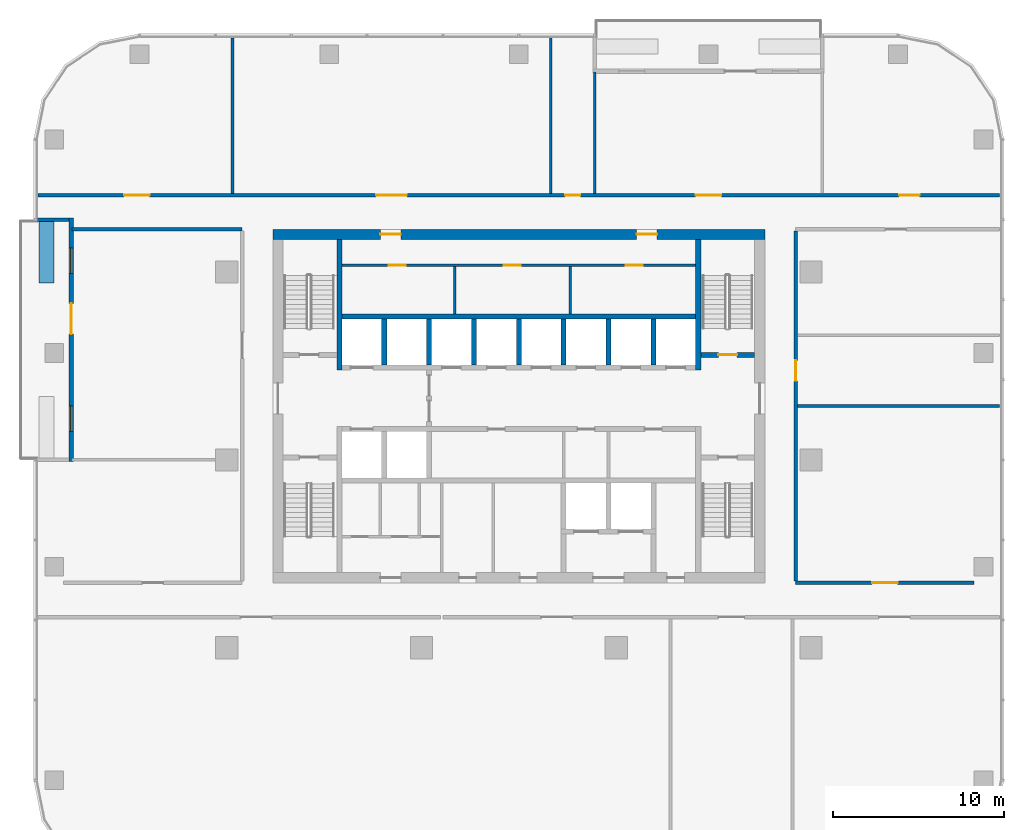
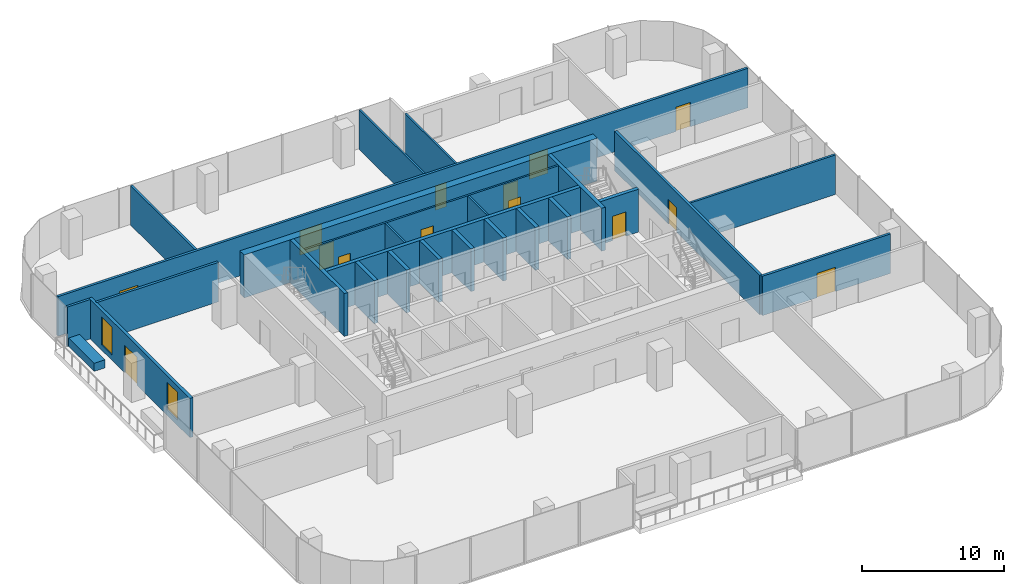
# One storey, part 9 of 14: 26 walls, 14 doors, 2 windows, 16 openings.
"""IFC4 building model written with IfcOpenShell, lengths in metres."""

from ifc_helpers import new_model, si_unit, direction, frame, frame_2d, origin, place, context, subcontext, project, spatial, rectangle, extrude, material, layer, layer_set, type_object, element, fill, save


model = new_model("IFC4")

# Units and contexts
model_context = context("Model", 3, precision=1e-05, world=origin(), true_north=direction((0.0, 1.0)))
body_context = subcontext(model_context, "Body", "Model", "MODEL_VIEW")
ifc_project = project(units=[si_unit("LENGTHUNIT", "METRE"), si_unit("AREAUNIT", "SQUARE_METRE"), si_unit("VOLUMEUNIT", "CUBIC_METRE"), si_unit("PLANEANGLEUNIT", "RADIAN"), si_unit("MASSUNIT", "GRAM", prefix="KILO")], contexts=[model_context])

# Site, building, storey
site_placement = place(None, origin())
site = spatial("IfcSite", under=ifc_project, at=site_placement, CompositionType="ELEMENT")
building_placement = place(site_placement, origin())
building = spatial("IfcBuilding", under=site, at=building_placement, Name="Mopane Tessera Tower", CompositionType="ELEMENT")
storey_placement = place(building_placement, frame((0.0, 0.0, 255.0)))
storey = spatial("IfcBuildingStorey", under=building, at=storey_placement, Name="L55", CompositionType="ELEMENT", Elevation=255.0)

# Walls
ifc_material_1 = material(Name="Fire-rated gypsum board partition")
ifc_layer_1 = layer(ifc_material_1, 0.14990234375)
ifc_layer_set_1 = layer_set([ifc_layer_1], Name="Fire-rated gypsum board partition")
wall_type_1 = type_object("IfcWallType", Name="Core room partition 150 mm", PredefinedType="PARTITIONING", material=ifc_layer_set_1)
for number, where, z_axis, x_axis, name in (
    (1, (-3.75, 8.550048828125, 0.0), (0.0, 0.0, 1.0), (0.0, 1.0, 0.0), "L55 Room partition"),
    (2, (3.0, 8.550048828125, 0.0), (0.0, 0.0, 1.0), (0.0, 1.0, 0.0), "L55 Room partition"),
):
    element("IfcWall", number, at=place(storey_placement, frame(where, z_axis=z_axis, x_axis=x_axis)), inside=storey, type_object=wall_type_1, Name=name, PredefinedType="PARTITIONING", context=body_context, shape_type="SweptSolid", body=[
        extrude(rectangle(XDim=2.77490234375, YDim=0.14990234375, at=frame_2d((1.387451171875, 0.0))), origin(), (0.0, 0.0, 1.0), 3.699951171875),
    ])

# Wall, openings, doors
wall_1_placement = place(storey_placement, frame((-10.35009765625, 11.39990234375, 0.0), z_axis=(0.0, 0.0, 1.0), x_axis=(1.0, 0.0, 0.0)))
wall_1 = element("IfcWall", 3, at=wall_1_placement, inside=storey, type_object=wall_type_1, Name="L55 Corridor wall", PredefinedType="PARTITIONING", context=body_context, shape_type="SweptSolid", body=[
    extrude(rectangle(XDim=20.7001953125, YDim=0.14990234375, at=frame_2d((10.35009765625, 0.0))), origin(), (0.0, 0.0, 1.0), 3.699951171875),
])
opening_1_placement = place(wall_1_placement, frame((2.72509765625, 0.0, 0.0)))
opening_1 = element("IfcOpeningElement", 4, at=opening_1_placement, cuts=wall_1, Name="Opening RD1", PredefinedType="OPENING", context=body_context, shape_type="SweptSolid", body=[
    extrude(rectangle(XDim=1.0, YDim=2.10009765625, at=frame_2d((0.5, 1.050048828125))), frame((0.0, 0.0869140625, 0.0), z_axis=(0.0, -1.0, 0.0), x_axis=(1.0, 0.0, 0.0)), (0.0, 0.0, 1.0), 0.173828125),
])
opening_2_placement = place(wall_1_placement, frame((9.47509765625, 0.0, 0.0)))
opening_2 = element("IfcOpeningElement", 5, at=opening_2_placement, cuts=wall_1, Name="Opening RD1", PredefinedType="OPENING", context=body_context, shape_type="SweptSolid", body=[
    extrude(rectangle(XDim=1.0, YDim=2.10009765625, at=frame_2d((0.5, 1.050048828125))), frame((0.0, 0.0869140625, 0.0), z_axis=(0.0, -1.0, 0.0), x_axis=(1.0, 0.0, 0.0)), (0.0, 0.0, 1.0), 0.173828125),
])
opening_3_placement = place(wall_1_placement, frame((16.60009765625, 0.0, 0.0)))
opening_3 = element("IfcOpeningElement", 6, at=opening_3_placement, cuts=wall_1, Name="Opening RD1", PredefinedType="OPENING", context=body_context, shape_type="SweptSolid", body=[
    extrude(rectangle(XDim=1.0, YDim=2.10009765625, at=frame_2d((0.5, 1.050048828125))), frame((0.0, 0.0869140625, 0.0), z_axis=(0.0, -1.0, 0.0), x_axis=(1.0, 0.0, 0.0)), (0.0, 0.0, 1.0), 0.173828125),
])
ifc_material_2 = material(Name="Timber door", Category="wood")
door_type_1 = type_object("IfcDoorType", Name="Core room door 1000 x 2100", OperationType="SINGLE_SWING_LEFT", PredefinedType="DOOR", material=ifc_material_2)
door_1_placement = place(opening_1_placement, origin())
door_1 = element("IfcDoor", 7, at=door_1_placement, inside=storey, type_object=door_type_1, Name="L55 Room door", OperationType="SINGLE_SWING_LEFT", OverallHeight=2.10009765625, OverallWidth=1.0, PredefinedType="DOOR", context=body_context, shape_type="SweptSolid", body=[
    extrude(rectangle(XDim=1.0, YDim=2.10009765625, at=frame_2d((0.5, 1.050048828125))), frame((0.0, 0.02490234375, 0.0), z_axis=(0.0, -1.0, 0.0), x_axis=(1.0, 0.0, 0.0)), (0.0, 0.0, 1.0), 0.050048828125),
])
fill(opening_1, door_1)
door_2_placement = place(opening_2_placement, origin())
door_2 = element("IfcDoor", 8, at=door_2_placement, inside=storey, type_object=door_type_1, Name="L55 Room door", OperationType="SINGLE_SWING_LEFT", OverallHeight=2.10009765625, OverallWidth=1.0, PredefinedType="DOOR", context=body_context, shape_type="SweptSolid", body=[
    extrude(rectangle(XDim=1.0, YDim=2.10009765625, at=frame_2d((0.5, 1.050048828125))), frame((0.0, 0.02490234375, 0.0), z_axis=(0.0, -1.0, 0.0), x_axis=(1.0, 0.0, 0.0)), (0.0, 0.0, 1.0), 0.050048828125),
])
fill(opening_2, door_2)
door_3_placement = place(opening_3_placement, origin())
door_3 = element("IfcDoor", 9, at=door_3_placement, inside=storey, type_object=door_type_1, Name="L55 Room door", OperationType="SINGLE_SWING_LEFT", OverallHeight=2.10009765625, OverallWidth=1.0, PredefinedType="DOOR", context=body_context, shape_type="SweptSolid", body=[
    extrude(rectangle(XDim=1.0, YDim=2.10009765625, at=frame_2d((0.5, 1.050048828125))), frame((0.0, 0.02490234375, 0.0), z_axis=(0.0, -1.0, 0.0), x_axis=(1.0, 0.0, 0.0)), (0.0, 0.0, 1.0), 0.050048828125),
])
fill(opening_3, door_3)

ifc_material_3 = material(Name="Concrete C70/85", Category="concrete")
ifc_layer_2 = layer(ifc_material_3, 0.60009765625)
ifc_layer_set_2 = layer_set([ifc_layer_2], Name="Concrete C70/85")
wall_type_2 = type_object("IfcWallType", Name="Core shear wall 600 mm", PredefinedType="SHEAR", material=ifc_layer_set_2)
wall_2_placement = place(storey_placement, frame((-14.39990234375, 13.199951171875, 0.0), z_axis=(0.0, 0.0, 1.0), x_axis=(1.0, 0.0, 0.0)))
wall_2 = element("IfcWall", 10, at=wall_2_placement, inside=storey, type_object=wall_type_2, Name="L55 Core wall north", PredefinedType="SHEAR", context=body_context, shape_type="SweptSolid", body=[
    extrude(rectangle(XDim=28.7998046875, YDim=0.60009765625, at=frame_2d((14.39990234375, 0.0))), origin(), (0.0, 0.0, 1.0), 3.699951171875),
])
opening_4_placement = place(wall_2_placement, frame((6.300048828125, 0.0, 0.0)))
opening_4 = element("IfcOpeningElement", 11, at=opening_4_placement, cuts=wall_2, Name="Opening RD2", PredefinedType="OPENING", context=body_context, shape_type="SweptSolid", body=[
    extrude(rectangle(XDim=1.199951171875, YDim=2.10009765625, at=frame_2d((0.60009765625, 1.050048828125))), frame((0.0, 0.31201171875, 0.0), z_axis=(0.0, -1.0, 0.0), x_axis=(1.0, 0.0, 0.0)), (0.0, 0.0, 1.0), 0.6240234375),
])
opening_5_placement = place(wall_2_placement, frame((21.300048828125, 0.0, 0.0)))
opening_5 = element("IfcOpeningElement", 12, at=opening_5_placement, cuts=wall_2, Name="Opening RD2", PredefinedType="OPENING", context=body_context, shape_type="SweptSolid", body=[
    extrude(rectangle(XDim=1.199951171875, YDim=2.10009765625, at=frame_2d((0.60009765625, 1.050048828125))), frame((0.0, 0.31201171875, 0.0), z_axis=(0.0, -1.0, 0.0), x_axis=(1.0, 0.0, 0.0)), (0.0, 0.0, 1.0), 0.6240234375),
])
ifc_material_4 = material(Name="Timber door", Category="wood")
door_type_2 = type_object("IfcDoorType", Name="Core corridor door 1200 x 2100", OperationType="SINGLE_SWING_LEFT", PredefinedType="DOOR", material=ifc_material_4)
door_4_placement = place(opening_4_placement, origin())
door_4 = element("IfcDoor", 13, at=door_4_placement, inside=storey, type_object=door_type_2, Name="L55 Corridor door", OperationType="SINGLE_SWING_LEFT", OverallHeight=2.10009765625, OverallWidth=1.199951171875, PredefinedType="DOOR", context=body_context, shape_type="SweptSolid", body=[
    extrude(rectangle(XDim=1.199951171875, YDim=2.10009765625, at=frame_2d((0.60009765625, 1.050048828125))), frame((0.0, 0.02490234375, 0.0), z_axis=(0.0, -1.0, 0.0), x_axis=(1.0, 0.0, 0.0)), (0.0, 0.0, 1.0), 0.050048828125),
])
fill(opening_4, door_4)
door_5_placement = place(opening_5_placement, origin())
door_5 = element("IfcDoor", 14, at=door_5_placement, inside=storey, type_object=door_type_2, Name="L55 Corridor door", OperationType="SINGLE_SWING_RIGHT", OverallHeight=2.10009765625, OverallWidth=1.199951171875, PredefinedType="DOOR", context=body_context, shape_type="SweptSolid", body=[
    extrude(rectangle(XDim=1.199951171875, YDim=2.10009765625, at=frame_2d((0.60009765625, 1.050048828125))), frame((0.0, 0.02490234375, 0.0), z_axis=(0.0, -1.0, 0.0), x_axis=(1.0, 0.0, 0.0)), (0.0, 0.0, 1.0), 0.050048828125),
])
fill(opening_5, door_5)

# Walls
ifc_material_5 = material(Name="Concrete C60/75", Category="concrete")
ifc_layer_3 = layer(ifc_material_5, 0.300048828125)
ifc_layer_set_3 = layer_set([ifc_layer_3], Name="Concrete C60/75")
wall_type_3 = type_object("IfcWallType", Name="Core spine wall 300 mm", PredefinedType="SHEAR", material=ifc_layer_set_3)
for number, where, z_axis, x_axis, name in (
    (15, (-10.5, 5.25, 0.0), (0.0, 0.0, 1.0), (0.0, 1.0, 0.0), "L55 Core spine wall"),
    (16, (10.5, 5.25, 0.0), (0.0, 0.0, 1.0), (0.0, 1.0, 0.0), "L55 Core spine wall"),
):
    element("IfcWall", number, at=place(storey_placement, frame(where, z_axis=z_axis, x_axis=x_axis)), inside=storey, type_object=wall_type_3, Name=name, PredefinedType="SHEAR", context=body_context, shape_type="SweptSolid", body=[
        extrude(rectangle(XDim=7.64990234375, YDim=0.300048828125, at=frame_2d((3.824951171875, 0.0))), origin(), (0.0, 0.0, 1.0), 3.699951171875),
    ])
ifc_material_6 = material(Name="Gypsum board on staggered steel studs, double layer each face, acoustic mineral wool infill", Category="steel")
ifc_layer_4 = layer(ifc_material_6, 0.175048828125)
ifc_layer_set_4 = layer_set([ifc_layer_4], Name="Gypsum board on staggered steel studs, double layer each face, acoustic mineral wool infill")
wall_type_4 = type_object("IfcWallType", Name="Gypsum board acoustic partition 175, rated EI 60", PredefinedType="PARTITIONING", material=ifc_layer_set_4)
wall_3_placement = place(storey_placement, frame((16.300048828125, 3.14990234375, 0.0), z_axis=(0.0, 0.0, 1.0), x_axis=(1.0, 0.0, 0.0)))
element("IfcWall", 17, at=wall_3_placement, inside=storey, type_object=wall_type_4, Name="Partition L55:005", PredefinedType="PARTITIONING", context=body_context, shape_type="SweptSolid", body=[
    extrude(rectangle(XDim=11.849853515625, YDim=0.175048828125, at=frame_2d((5.9248046875, 0.0))), origin(), (0.0, 0.0, 1.0), 3.39990234375),
])
wall_4_placement = place(storey_placement, frame((-16.77001953125, 15.60009765625, 0.0), z_axis=(0.0, 0.0, 1.0), x_axis=(0.0, 1.0, 0.0)))
element("IfcWall", 18, at=wall_4_placement, inside=storey, type_object=wall_type_4, Name="Partition L55:010", PredefinedType="PARTITIONING", context=body_context, shape_type="SweptSolid", body=[
    extrude(rectangle(XDim=9.099853515625, YDim=0.175048828125, at=frame_2d((4.5498046875, 0.0))), origin(), (0.0, 0.0, 1.0), 3.39990234375),
])

# Wall, opening, door
ifc_material_7 = material(Name="Gypsum board on steel studs, two layers each face, mineral wool infill", Category="steel")
ifc_layer_5 = layer(ifc_material_7, 0.199951171875)
ifc_layer_set_5 = layer_set([ifc_layer_5], Name="Gypsum board on steel studs, two layers each face, mineral wool infill")
wall_type_5 = type_object("IfcWallType", Name="Gypsum board corridor wall 200, rated EI 60", PredefinedType="PARTITIONING", material=ifc_layer_set_5)
wall_5_placement = place(storey_placement, frame((16.199951171875, -7.199951171875, 0.0), z_axis=(0.0, 0.0, 1.0), x_axis=(1.0, 0.0, 0.0)))
wall_5 = element("IfcWall", 19, at=wall_5_placement, inside=storey, type_object=wall_type_5, Name="Partition L55:003", PredefinedType="PARTITIONING", context=body_context, shape_type="SweptSolid", body=[
    extrude(rectangle(XDim=10.449951171875, YDim=0.199951171875, at=frame_2d((5.22509765625, 0.0))), origin(), (0.0, 0.0, 1.0), 3.39990234375),
])
opening_6_placement = place(wall_5_placement, frame((4.47509765625, 0.0, 0.0)))
opening_6 = element("IfcOpeningElement", 20, at=opening_6_placement, cuts=wall_5, Name="Opening L55-14", PredefinedType="OPENING", context=body_context, shape_type="SweptSolid", body=[
    extrude(rectangle(XDim=1.5, YDim=2.10009765625, at=frame_2d((0.75, 1.050048828125))), frame((0.0, 0.112060546875, 0.0), z_axis=(0.0, -1.0, 0.0), x_axis=(1.0, 0.0, 0.0)), (0.0, 0.0, 1.0), 0.223876953125),
])
ifc_material_8 = material(Name="Timber veneered steel-framed fire door", Category="steel")
door_type_3 = type_object("IfcDoorType", Name="Fire door pair FD60 1500 x 2100", OperationType="DOUBLE_DOOR_SINGLE_SWING", PredefinedType="DOOR", material=ifc_material_8)
door_6_placement = place(opening_6_placement, origin())
door_6 = element("IfcDoor", 21, at=door_6_placement, inside=storey, type_object=door_type_3, Name="Door L55-14", ObjectType="D17A", OperationType="DOUBLE_DOOR_SINGLE_SWING", OverallHeight=2.10009765625, OverallWidth=1.5, PredefinedType="DOOR", context=body_context, shape_type="SweptSolid", body=[
    extrude(rectangle(XDim=1.5, YDim=2.10009765625, at=frame_2d((0.75, 1.050048828125))), frame((0.0, 0.02490234375, 0.0), z_axis=(0.0, -1.0, 0.0), x_axis=(1.0, 0.0, 0.0)), (0.0, 0.0, 1.0), 0.050048828125),
])
fill(opening_6, door_6)

# Wall
wall_6_placement = place(storey_placement, frame((-26.14990234375, 13.5, 0.0), z_axis=(0.0, 0.0, 1.0), x_axis=(1.0, 0.0, 0.0)))
element("IfcWall", 22, at=wall_6_placement, inside=storey, type_object=wall_type_5, Name="Partition L55:007", PredefinedType="PARTITIONING", context=body_context, shape_type="SweptSolid", body=[
    extrude(rectangle(XDim=9.949951171875, YDim=0.199951171875, at=frame_2d((4.97509765625, 0.0))), origin(), (0.0, 0.0, 1.0), 3.39990234375),
])

# Wall, openings, doors
wall_7_placement = place(storey_placement, frame((-28.14990234375, 15.5, 0.0), z_axis=(0.0, 0.0, 1.0), x_axis=(1.0, 0.0, 0.0)))
wall_7 = element("IfcWall", 23, at=wall_7_placement, inside=storey, type_object=wall_type_5, Name="Partition L55:009", PredefinedType="PARTITIONING", context=body_context, shape_type="SweptSolid", body=[
    extrude(rectangle(XDim=56.2998046875, YDim=0.199951171875, at=frame_2d((28.14990234375, 0.0))), origin(), (0.0, 0.0, 1.0), 3.39990234375),
])
opening_7_placement = place(wall_7_placement, frame((50.405029296875, 0.0, 0.0)))
opening_7 = element("IfcOpeningElement", 24, at=opening_7_placement, cuts=wall_7, Name="Opening L55-01", PredefinedType="OPENING", context=body_context, shape_type="SweptSolid", body=[
    extrude(rectangle(XDim=1.199951171875, YDim=2.10009765625, at=frame_2d((0.60009765625, 1.050048828125))), frame((0.0, 0.112060546875, 0.0), z_axis=(0.0, -1.0, 0.0), x_axis=(1.0, 0.0, 0.0)), (0.0, 0.0, 1.0), 0.223876953125),
])
opening_8_placement = place(wall_7_placement, frame((38.5, 0.0, 0.0)))
opening_8 = element("IfcOpeningElement", 25, at=opening_8_placement, cuts=wall_7, Name="Opening L55-05", PredefinedType="OPENING", context=body_context, shape_type="SweptSolid", body=[
    extrude(rectangle(XDim=1.5, YDim=2.10009765625, at=frame_2d((0.75, 1.050048828125))), frame((0.0, 0.112060546875, 0.0), z_axis=(0.0, -1.0, 0.0), x_axis=(1.0, 0.0, 0.0)), (0.0, 0.0, 1.0), 0.223876953125),
])
opening_9_placement = place(wall_7_placement, frame((30.8525390625, 0.0, 0.0)))
opening_9 = element("IfcOpeningElement", 26, at=opening_9_placement, cuts=wall_7, Name="Opening L55-06", PredefinedType="OPENING", context=body_context, shape_type="SweptSolid", body=[
    extrude(rectangle(XDim=0.89990234375, YDim=2.10009765625, at=frame_2d((0.449951171875, 1.050048828125))), frame((0.0, 0.112060546875, 0.0), z_axis=(0.0, -1.0, 0.0), x_axis=(1.0, 0.0, 0.0)), (0.0, 0.0, 1.0), 0.223876953125),
])
opening_10_placement = place(wall_7_placement, frame((19.797607421875, 0.0, 0.0)))
opening_10 = element("IfcOpeningElement", 27, at=opening_10_placement, cuts=wall_7, Name="Opening L55-10", PredefinedType="OPENING", context=body_context, shape_type="SweptSolid", body=[
    extrude(rectangle(XDim=1.800048828125, YDim=2.10009765625, at=frame_2d((0.89990234375, 1.050048828125))), frame((0.0, 0.112060546875, 0.0), z_axis=(0.0, -1.0, 0.0), x_axis=(1.0, 0.0, 0.0)), (0.0, 0.0, 1.0), 0.223876953125),
])
opening_11_placement = place(wall_7_placement, frame((5.0400390625, 0.0, 0.0)))
opening_11 = element("IfcOpeningElement", 28, at=opening_11_placement, cuts=wall_7, Name="Opening L55-12", PredefinedType="OPENING", context=body_context, shape_type="SweptSolid", body=[
    extrude(rectangle(XDim=1.5, YDim=2.10009765625, at=frame_2d((0.75, 1.050048828125))), frame((0.0, 0.112060546875, 0.0), z_axis=(0.0, -1.0, 0.0), x_axis=(1.0, 0.0, 0.0)), (0.0, 0.0, 1.0), 0.223876953125),
])
ifc_material_9 = material(Name="Timber veneered steel-framed fire door", Category="steel")
door_type_4 = type_object("IfcDoorType", Name="Fire door FD60 1200 x 2100", OperationType="SINGLE_SWING_LEFT", PredefinedType="DOOR", material=ifc_material_9)
door_7_placement = place(opening_7_placement, origin())
door_7 = element("IfcDoor", 29, at=door_7_placement, inside=storey, type_object=door_type_4, Name="Door L55-01", ObjectType="D15A", OperationType="SINGLE_SWING_RIGHT", OverallHeight=2.10009765625, OverallWidth=1.199951171875, PredefinedType="DOOR", context=body_context, shape_type="SweptSolid", body=[
    extrude(rectangle(XDim=1.199951171875, YDim=2.10009765625, at=frame_2d((0.60009765625, 1.050048828125))), frame((0.0, 0.02490234375, 0.0), z_axis=(0.0, -1.0, 0.0), x_axis=(1.0, 0.0, 0.0)), (0.0, 0.0, 1.0), 0.050048828125),
])
fill(opening_7, door_7)
ifc_material_10 = material(Name="Timber veneered steel-framed fire door", Category="steel")
door_type_5 = type_object("IfcDoorType", Name="Fire door FD60 900 x 2100", OperationType="SINGLE_SWING_LEFT", PredefinedType="DOOR", material=ifc_material_10)
door_8_placement = place(opening_9_placement, origin())
door_8 = element("IfcDoor", 30, at=door_8_placement, inside=storey, type_object=door_type_5, Name="Door L55-06", ObjectType="D10A", OperationType="SINGLE_SWING_LEFT", OverallHeight=2.10009765625, OverallWidth=0.89990234375, PredefinedType="DOOR", context=body_context, shape_type="SweptSolid", body=[
    extrude(rectangle(XDim=0.89990234375, YDim=2.10009765625, at=frame_2d((0.449951171875, 1.050048828125))), frame((0.0, 0.02490234375, 0.0), z_axis=(0.0, -1.0, 0.0), x_axis=(1.0, 0.0, 0.0)), (0.0, 0.0, 1.0), 0.050048828125),
])
fill(opening_9, door_8)
door_9_placement = place(opening_8_placement, origin())
door_9 = element("IfcDoor", 31, at=door_9_placement, inside=storey, type_object=door_type_3, Name="Door L55-05", ObjectType="D17A", OperationType="DOUBLE_DOOR_SINGLE_SWING", OverallHeight=2.10009765625, OverallWidth=1.5, PredefinedType="DOOR", context=body_context, shape_type="SweptSolid", body=[
    extrude(rectangle(XDim=1.5, YDim=2.10009765625, at=frame_2d((0.75, 1.050048828125))), frame((0.0, 0.02490234375, 0.0), z_axis=(0.0, -1.0, 0.0), x_axis=(1.0, 0.0, 0.0)), (0.0, 0.0, 1.0), 0.050048828125),
])
fill(opening_8, door_9)
door_10_placement = place(opening_11_placement, origin())
door_10 = element("IfcDoor", 32, at=door_10_placement, inside=storey, type_object=door_type_3, Name="Door L55-12", ObjectType="D17A", OperationType="DOUBLE_DOOR_SINGLE_SWING", OverallHeight=2.10009765625, OverallWidth=1.5, PredefinedType="DOOR", context=body_context, shape_type="SweptSolid", body=[
    extrude(rectangle(XDim=1.5, YDim=2.10009765625, at=frame_2d((0.75, 1.050048828125))), frame((0.0, 0.02490234375, 0.0), z_axis=(0.0, -1.0, 0.0), x_axis=(1.0, 0.0, 0.0)), (0.0, 0.0, 1.0), 0.050048828125),
])
fill(opening_11, door_10)
ifc_material_11 = material(Name="Timber veneered steel-framed fire door", Category="steel")
door_type_6 = type_object("IfcDoorType", Name="Fire door pair FD60 1800 x 2100", OperationType="DOUBLE_DOOR_SINGLE_SWING", PredefinedType="DOOR", material=ifc_material_11)
door_11_placement = place(opening_10_placement, origin())
door_11 = element("IfcDoor", 33, at=door_11_placement, inside=storey, type_object=door_type_6, Name="Door L55-10", ObjectType="D20A", OperationType="DOUBLE_DOOR_SINGLE_SWING", OverallHeight=2.10009765625, OverallWidth=1.800048828125, PredefinedType="DOOR", context=body_context, shape_type="SweptSolid", body=[
    extrude(rectangle(XDim=1.800048828125, YDim=2.10009765625, at=frame_2d((0.89990234375, 1.050048828125))), frame((0.0, 0.02490234375, 0.0), z_axis=(0.0, -1.0, 0.0), x_axis=(1.0, 0.0, 0.0)), (0.0, 0.0, 1.0), 0.050048828125),
])
fill(opening_10, door_11)

# Wall, opening, door
wall_8_placement = place(storey_placement, frame((16.199951171875, -7.10009765625, 0.0), z_axis=(0.0, 0.0, 1.0), x_axis=(0.0, 1.0, 0.0)))
wall_8 = element("IfcWall", 34, at=wall_8_placement, inside=storey, type_object=wall_type_5, Name="Partition L55:016", PredefinedType="PARTITIONING", context=body_context, shape_type="SweptSolid", body=[
    extrude(rectangle(XDim=20.5, YDim=0.199951171875, at=frame_2d((10.25, 0.0))), origin(), (0.0, 0.0, 1.0), 3.39990234375),
])
opening_12_placement = place(wall_8_placement, frame((11.719970703125, 0.0, 0.0)))
opening_12 = element("IfcOpeningElement", 35, at=opening_12_placement, cuts=wall_8, Name="Opening L55-11", PredefinedType="OPENING", context=body_context, shape_type="SweptSolid", body=[
    extrude(rectangle(XDim=1.199951171875, YDim=2.10009765625, at=frame_2d((0.60009765625, 1.050048828125))), frame((0.0, 0.112060546875, 0.0), z_axis=(0.0, -1.0, 0.0), x_axis=(1.0, 0.0, 0.0)), (0.0, 0.0, 1.0), 0.223876953125),
])
door_12_placement = place(opening_12_placement, origin())
door_12 = element("IfcDoor", 36, at=door_12_placement, inside=storey, type_object=door_type_4, Name="Door L55-11", ObjectType="D15A", OperationType="SINGLE_SWING_LEFT", OverallHeight=2.10009765625, OverallWidth=1.199951171875, PredefinedType="DOOR", context=body_context, shape_type="SweptSolid", body=[
    extrude(rectangle(XDim=1.199951171875, YDim=2.10009765625, at=frame_2d((0.60009765625, 1.050048828125))), frame((0.0, 0.02490234375, 0.0), z_axis=(0.0, -1.0, 0.0), x_axis=(1.0, 0.0, 0.0)), (0.0, 0.0, 1.0), 0.050048828125),
])
fill(opening_12, door_12)

# Walls
ifc_material_12 = material(Name="Gypsum board on steel studs, mineral wool infill", Category="steel")
ifc_layer_6 = layer(ifc_material_12, 0.14990234375)
ifc_layer_set_6 = layer_set([ifc_layer_6], Name="Gypsum board on steel studs, mineral wool infill")
wall_type_6 = type_object("IfcWallType", Name="Gypsum board partition 150, rated EI 60", PredefinedType="PARTITIONING", material=ifc_layer_set_6)
wall_9_placement = place(storey_placement, frame((1.864990234375, 15.60009765625, 0.0), z_axis=(0.0, 0.0, 1.0), x_axis=(0.0, 1.0, 0.0)))
element("IfcWall", 37, at=wall_9_placement, inside=storey, type_object=wall_type_6, Name="Partition L55:012", PredefinedType="PARTITIONING", context=body_context, shape_type="SweptSolid", body=[
    extrude(rectangle(XDim=9.099853515625, YDim=0.14990234375, at=frame_2d((4.5498046875, 0.0))), origin(), (0.0, 0.0, 1.0), 3.39990234375),
])
wall_10_placement = place(storey_placement, frame((4.43994140625, 15.60009765625, 0.0), z_axis=(0.0, 0.0, 1.0), x_axis=(0.0, 1.0, 0.0)))
element("IfcWall", 38, at=wall_10_placement, inside=storey, type_object=wall_type_6, Name="Partition L55:013", PredefinedType="PARTITIONING", context=body_context, shape_type="SweptSolid", body=[
    extrude(rectangle(XDim=7.099853515625, YDim=0.14990234375, at=frame_2d((3.5498046875, 0.0))), origin(), (0.0, 0.0, 1.0), 3.39990234375),
])

# Wall, opening, door
ifc_material_13 = material(Name="Concrete C50/60", Category="concrete")
ifc_layer_7 = layer(ifc_material_13, 0.300048828125)
ifc_layer_set_7 = layer_set([ifc_layer_7], Name="Concrete C50/60")
wall_type_7 = type_object("IfcWallType", Name="Lift and stair shaft wall 300 mm", PredefinedType="SOLIDWALL", material=ifc_layer_set_7)
wall_11_placement = place(storey_placement, frame((10.64990234375, 6.14990234375, 0.0), z_axis=(0.0, 0.0, 1.0), x_axis=(1.0, 0.0, 0.0)))
wall_11 = element("IfcWall", 39, at=wall_11_placement, inside=storey, type_object=wall_type_7, Name="L55 Stair enclosure wall", PredefinedType="SOLIDWALL", context=body_context, shape_type="SweptSolid", body=[
    extrude(rectangle(XDim=3.150146484375, YDim=0.300048828125, at=frame_2d((1.5751953125, 0.0))), origin(), (0.0, 0.0, 1.0), 3.699951171875),
])
opening_13_placement = place(wall_11_placement, frame((1.02490234375, 0.0, 0.0)))
opening_13 = element("IfcOpeningElement", 40, at=opening_13_placement, cuts=wall_11, Name="Opening SD1", PredefinedType="OPENING", context=body_context, shape_type="SweptSolid", body=[
    extrude(rectangle(XDim=1.10009765625, YDim=2.10009765625, at=frame_2d((0.550048828125, 1.050048828125))), frame((0.0, 0.162109375, 0.0), z_axis=(0.0, -1.0, 0.0), x_axis=(1.0, 0.0, 0.0)), (0.0, 0.0, 1.0), 0.323974609375),
])
ifc_material_14 = material(Name="Steel fire door", Category="steel")
door_type_7 = type_object("IfcDoorType", Name="Stair fire door 1100 x 2100", OperationType="SINGLE_SWING_LEFT", PredefinedType="DOOR", material=ifc_material_14)
door_13_placement = place(opening_13_placement, origin())
door_13 = element("IfcDoor", 41, at=door_13_placement, inside=storey, type_object=door_type_7, Name="L55 Stair door ST4", OperationType="SINGLE_SWING_RIGHT", OverallHeight=2.10009765625, OverallWidth=1.10009765625, PredefinedType="DOOR", context=body_context, shape_type="SweptSolid", body=[
    extrude(rectangle(XDim=1.10009765625, YDim=2.10009765625, at=frame_2d((0.550048828125, 1.050048828125))), frame((0.0, 0.02490234375, 0.0), z_axis=(0.0, -1.0, 0.0), x_axis=(1.0, 0.0, 0.0)), (0.0, 0.0, 1.0), 0.050048828125),
])
fill(opening_13, door_13)

# Walls
wall_12_placement = place(storey_placement, frame((-10.35009765625, 8.39990234375, 0.0), z_axis=(0.0, 0.0, 1.0), x_axis=(1.0, 0.0, 0.0)))
element("IfcWall", 42, at=wall_12_placement, inside=storey, type_object=wall_type_7, Name="L55 Lift shaft rear wall", PredefinedType="SOLIDWALL", context=body_context, shape_type="SweptSolid", body=[
    extrude(rectangle(XDim=20.7001953125, YDim=0.300048828125, at=frame_2d((10.35009765625, 0.0))), origin(), (0.0, 0.0, 1.0), 3.699951171875),
])
for number, where, z_axis, x_axis, name in (
    (43, (-7.875, 5.550048828125, 0.0), (0.0, 0.0, 1.0), (0.0, 1.0, 0.0), "L55 Lift shaft wall"),
    (44, (-5.25, 5.550048828125, 0.0), (0.0, 0.0, 1.0), (0.0, 1.0, 0.0), "L55 Lift shaft wall"),
    (45, (-2.625, 5.550048828125, 0.0), (0.0, 0.0, 1.0), (0.0, 1.0, 0.0), "L55 Lift shaft wall"),
    (46, (0.0, 5.550048828125, 0.0), (0.0, 0.0, 1.0), (0.0, 1.0, 0.0), "L55 Lift shaft wall"),
    (47, (2.625, 5.550048828125, 0.0), (0.0, 0.0, 1.0), (0.0, 1.0, 0.0), "L55 Lift shaft wall"),
    (48, (5.25, 5.550048828125, 0.0), (0.0, 0.0, 1.0), (0.0, 1.0, 0.0), "L55 Lift shaft wall"),
    (49, (7.875, 5.550048828125, 0.0), (0.0, 0.0, 1.0), (0.0, 1.0, 0.0), "L55 Lift shaft wall"),
):
    element("IfcWall", number, at=place(storey_placement, frame(where, z_axis=z_axis, x_axis=x_axis)), inside=storey, type_object=wall_type_7, Name=name, PredefinedType="SOLIDWALL", context=body_context, shape_type="SweptSolid", body=[
        extrude(rectangle(XDim=2.699951171875, YDim=0.300048828125, at=frame_2d((1.35009765625, 0.0))), origin(), (0.0, 0.0, 1.0), 3.699951171875),
    ])
ifc_material_15 = material(Name="Reinforced concrete C32/40 with waterproofing", Category="concrete")
ifc_layer_8 = layer(ifc_material_15, 0.89990234375)
ifc_layer_set_8 = layer_set([ifc_layer_8], Name="Reinforced concrete C32/40 with waterproofing")
wall_type_8 = type_object("IfcWallType", Name="Planter trough 3600 x 900", PredefinedType="STANDARD", material=ifc_layer_set_8)
wall_13_placement = place(storey_placement, frame((-27.64990234375, 13.96240234375, 0.0), z_axis=(0.0, 0.0, 1.0), x_axis=(0.0, -1.0, 0.0)))
element("IfcWall", 50, at=wall_13_placement, inside=storey, type_object=wall_type_8, Name="e:nw:L55:N3:pl0", PredefinedType="STANDARD", context=body_context, shape_type="SweptSolid", body=[
    extrude(rectangle(XDim=3.599853515625, YDim=0.89990234375, at=frame_2d((1.7998046875, 0.0))), origin(), (0.0, 0.0, 1.0), 0.699951171875),
])
ifc_material_16 = material(Name="Blockwork with glazed tile facing", Category="masonry")
ifc_layer_9 = layer(ifc_material_16, 0.199951171875)
ifc_layer_set_9 = layer_set([ifc_layer_9], Name="Blockwork with glazed tile facing")
wall_type_9 = type_object("IfcWallType", Name="Terrace cheek wall 200", PredefinedType="STANDARD", material=ifc_layer_set_9)
wall_14_placement = place(storey_placement, frame((-28.199951171875, 14.0625, 0.0), z_axis=(0.0, 0.0, 1.0), x_axis=(1.0, 0.0, 0.0)))
element("IfcWall", 51, at=wall_14_placement, inside=storey, type_object=wall_type_9, Name="e:nw:L55:N3:cheeka", PredefinedType="STANDARD", context=body_context, shape_type="SweptSolid", body=[
    extrude(rectangle(XDim=1.875, YDim=0.199951171875, at=frame_2d((0.9375, 0.0))), origin(), (0.0, 0.0, 1.0), 3.39990234375),
])

# Wall, openings, windows, door
ifc_material_17 = material(Name="Blockwork with ochre glazed tile facing", Category="masonry")
ifc_layer_10 = layer(ifc_material_17, 0.25)
ifc_layer_set_10 = layer_set([ifc_layer_10], Name="Blockwork with ochre glazed tile facing")
wall_type_10 = type_object("IfcWallType", Name="Tile-clad external wall 250, ochre", PredefinedType="STANDARD", material=ifc_layer_set_10)
wall_15_placement = place(storey_placement, frame((-26.199951171875, 14.16259765625, 0.0), z_axis=(0.0, 0.0, 1.0), x_axis=(0.0, -1.0, 0.0)))
wall_15 = element("IfcWall", 52, at=wall_15_placement, inside=storey, type_object=wall_type_10, Name="e:nw:L55:N3:back", PredefinedType="STANDARD", context=body_context, shape_type="SweptSolid", body=[
    extrude(rectangle(XDim=14.2626953125, YDim=0.25, at=frame_2d((7.13134765625, 0.0))), origin(), (0.0, 0.0, 1.0), 3.39990234375),
])
opening_14_placement = place(wall_15_placement, frame((1.75, 0.0, 0.449951171875)))
opening_14 = element("IfcOpeningElement", 53, at=opening_14_placement, cuts=wall_15, Name="Opening NW553A", PredefinedType="OPENING", context=body_context, shape_type="SweptSolid", body=[
    extrude(rectangle(XDim=1.5, YDim=2.39990234375, at=frame_2d((0.75, 1.199951171875))), frame((0.0, 0.136962890625, 0.0), z_axis=(0.0, -1.0, 0.0), x_axis=(1.0, 0.0, 0.0)), (0.0, 0.0, 1.0), 0.27392578125),
])
opening_15_placement = place(wall_15_placement, frame((5.0, 0.0, 0.0)))
opening_15 = element("IfcOpeningElement", 54, at=opening_15_placement, cuts=wall_15, Name="Opening ND553", PredefinedType="OPENING", context=body_context, shape_type="SweptSolid", body=[
    extrude(rectangle(XDim=1.800048828125, YDim=2.39990234375, at=frame_2d((0.89990234375, 1.199951171875))), frame((0.0, 0.136962890625, 0.0), z_axis=(0.0, -1.0, 0.0), x_axis=(1.0, 0.0, 0.0)), (0.0, 0.0, 1.0), 0.27392578125),
])
opening_16_placement = place(wall_15_placement, frame((11.0, 0.0, 0.449951171875)))
opening_16 = element("IfcOpeningElement", 55, at=opening_16_placement, cuts=wall_15, Name="Opening NW553B", PredefinedType="OPENING", context=body_context, shape_type="SweptSolid", body=[
    extrude(rectangle(XDim=1.5, YDim=2.39990234375, at=frame_2d((0.75, 1.199951171875))), frame((0.0, 0.136962890625, 0.0), z_axis=(0.0, -1.0, 0.0), x_axis=(1.0, 0.0, 0.0)), (0.0, 0.0, 1.0), 0.27392578125),
])
ifc_material_18 = material(Name="Clear laminated glass", Category="glass")
window_type = type_object("IfcWindowType", Name="Fixed window 1500 x 2400", PartitioningType="SINGLE_PANEL", PredefinedType="WINDOW", material=ifc_material_18)
window_1_placement = place(opening_14_placement, origin())
window_1 = element("IfcWindow", 56, at=window_1_placement, inside=storey, type_object=window_type, Name="e:nw:L55:N3:win0", OverallHeight=2.39990234375, OverallWidth=1.5, PartitioningType="SINGLE_PANEL", PredefinedType="WINDOW", context=body_context, shape_type="SweptSolid", body=[
    extrude(rectangle(XDim=1.5, YDim=2.39990234375, at=frame_2d((0.75, 1.199951171875))), frame((0.0, 0.030029296875, 0.0), z_axis=(0.0, -1.0, 0.0), x_axis=(1.0, 0.0, 0.0)), (0.0, 0.0, 1.0), 0.06005859375),
])
fill(opening_14, window_1)
window_2_placement = place(opening_16_placement, origin())
window_2 = element("IfcWindow", 57, at=window_2_placement, inside=storey, type_object=window_type, Name="e:nw:L55:N3:win2", OverallHeight=2.39990234375, OverallWidth=1.5, PartitioningType="SINGLE_PANEL", PredefinedType="WINDOW", context=body_context, shape_type="SweptSolid", body=[
    extrude(rectangle(XDim=1.5, YDim=2.39990234375, at=frame_2d((0.75, 1.199951171875))), frame((0.0, 0.030029296875, 0.0), z_axis=(0.0, -1.0, 0.0), x_axis=(1.0, 0.0, 0.0)), (0.0, 0.0, 1.0), 0.06005859375),
])
fill(opening_16, window_2)
ifc_material_19 = material(Name="Aluminium and clear glass", Category="aluminium")
door_type_8 = type_object("IfcDoorType", Name="Terrace double door 1800 x 2400", OperationType="DOUBLE_DOOR_SINGLE_SWING", PredefinedType="DOOR", material=ifc_material_19)
door_14_placement = place(opening_15_placement, origin())
door_14 = element("IfcDoor", 58, at=door_14_placement, inside=storey, type_object=door_type_8, Name="e:nw:L55:N3:door", ObjectType="D1", OperationType="DOUBLE_DOOR_SINGLE_SWING", OverallHeight=2.39990234375, OverallWidth=1.800048828125, PredefinedType="DOOR", context=body_context, shape_type="SweptSolid", body=[
    extrude(rectangle(XDim=1.800048828125, YDim=2.39990234375, at=frame_2d((0.89990234375, 1.199951171875))), frame((0.0, 0.02490234375, 0.0), z_axis=(0.0, -1.0, 0.0), x_axis=(1.0, 0.0, 0.0)), (0.0, 0.0, 1.0), 0.050048828125),
])
fill(opening_15, door_14)

save(model, "model.ifc")
